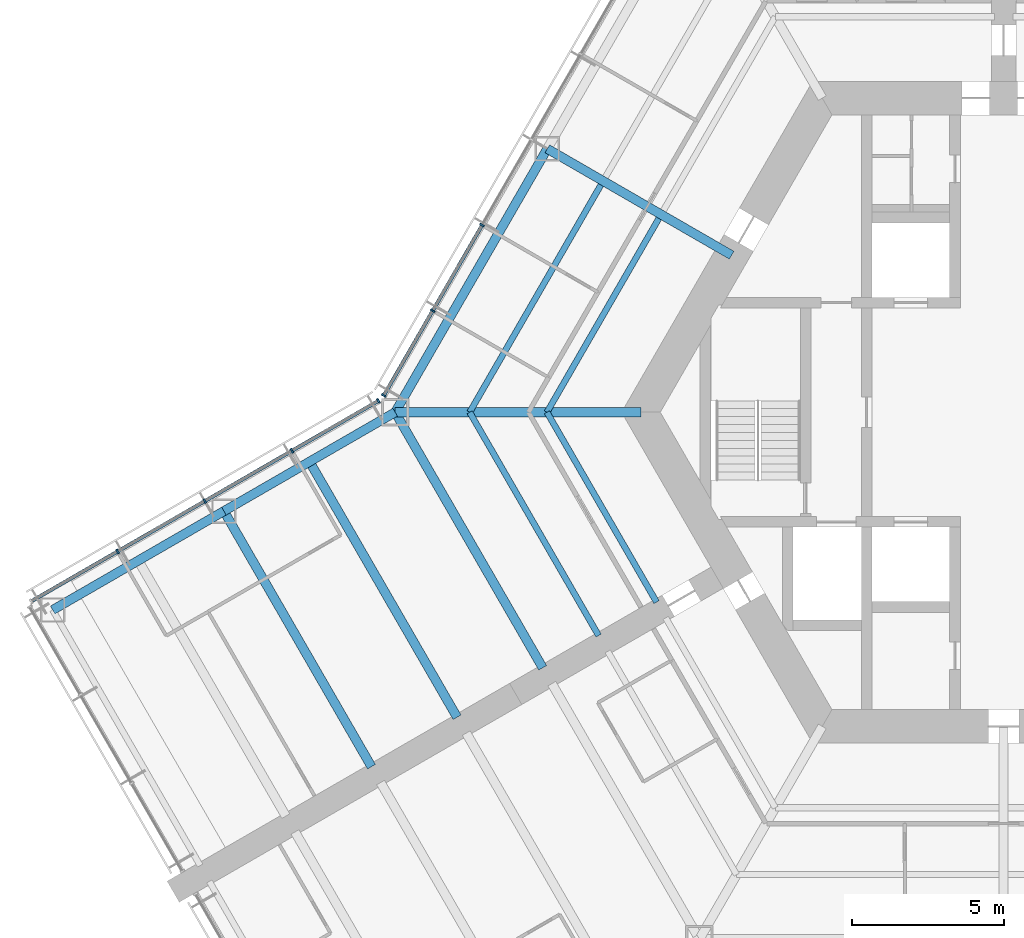
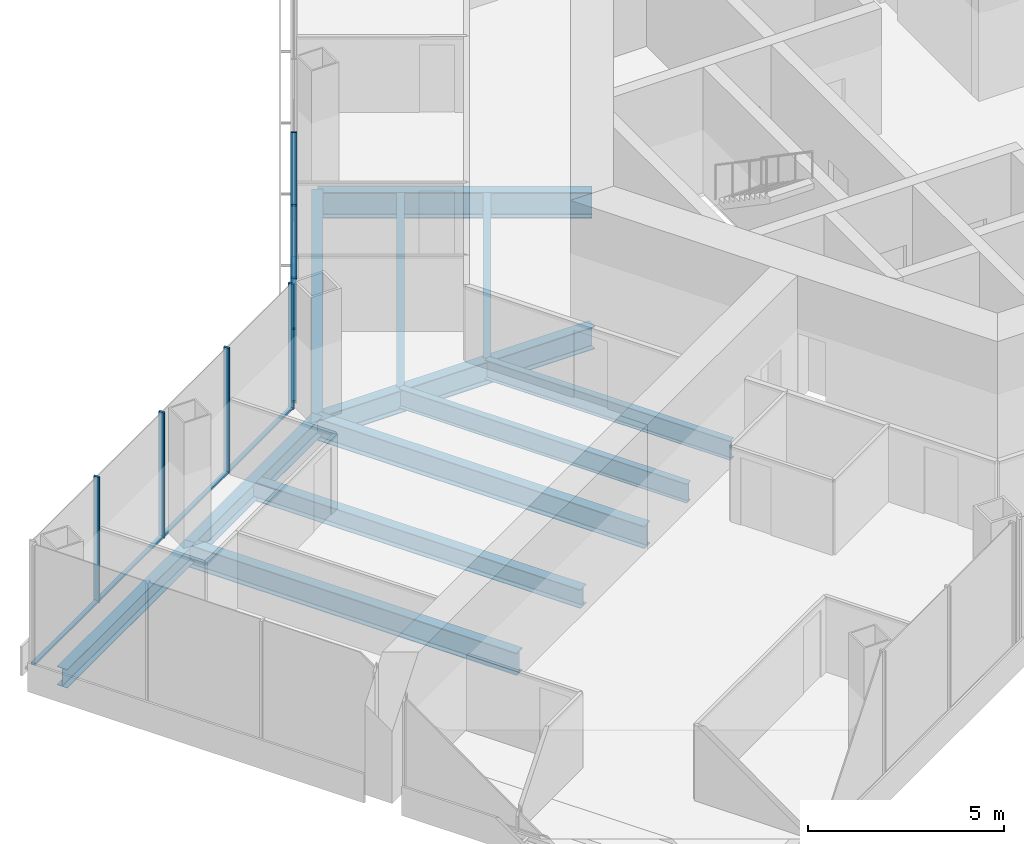
# One storey, part 4 of 18: 13 members, 12 beams, 2 elements without a shape of their own.
"""IFC4 building model written with IfcOpenShell, lengths in metres."""

import ifcopenshell
import ifcopenshell.guid

model = None  # the IFC model being written
_history = None  # IfcOwnerHistory: only IFC2X3 demands one
_inside = {}  # id of a spatial element -> (the spatial element, [elements in it])
_under = {}  # id of a project, library or spatial element -> (it, [spatial elements below it])
_declared = {}  # id of a project -> (the project, [libraries it declares])
_typed = {}  # id of a type object -> (the type object, [elements of that type])
_made_of = {}  # id of a material, layer set ... -> (it, [elements and type objects made of it])


def new_model(schema):
    """Start an empty IFC model of exactly this schema.

    Asked for "IFC4X3", IfcOpenShell would pick the latest addendum, in which some entities
    have other attributes; the version numbers below select the first issue.
    IFC2X3 requires an IfcOwnerHistory on every rooted entity: one is made here for all.
    """
    global model, _history
    if schema == "IFC4X3":
        model = ifcopenshell.file(schema_version=(4, 3, 0, 0))
    else:
        model = ifcopenshell.file(schema=schema)
    _inside.clear()
    _under.clear()
    _declared.clear()
    _typed.clear()
    _made_of.clear()
    _history = None
    if model.schema == "IFC2X3":
        org = make("IfcOrganization", Name="unknown")
        user = make(
            "IfcPersonAndOrganization",
            ThePerson=make("IfcPerson", FamilyName="unknown"),
            TheOrganization=org,
        )
        app = make(
            "IfcApplication",
            ApplicationDeveloper=org,
            Version="unknown",
            ApplicationFullName="unknown",
            ApplicationIdentifier="unknown",
        )
        _history = make(
            "IfcOwnerHistory",
            OwningUser=user,
            OwningApplication=app,
            ChangeAction="ADDED",
            CreationDate=0,
        )
    return model


def make(cls, **values):
    """One entity of the class cls with the attributes given. An attribute that is None is left unset."""
    return model.create_entity(
        cls, **{name: value for name, value in values.items() if value is not None}
    )


def rooted(cls, **values):
    """An entity with a GlobalId (a new one), such as an element, a storey or a relation."""
    return make(cls, GlobalId=ifcopenshell.guid.new(), OwnerHistory=_history, **values)


def si_unit(unit_type, name, prefix=None):
    """IfcSIUnit, for example si_unit("LENGTHUNIT", "METRE", prefix="MILLI")."""
    return make("IfcSIUnit", UnitType=unit_type, Prefix=prefix, Name=name)


def assignment(units):
    """IfcUnitAssignment: the units of a project."""
    return None if units is None else make("IfcUnitAssignment", Units=units)


def point(xyz):
    """IfcCartesianPoint."""
    return None if xyz is None else make("IfcCartesianPoint", Coordinates=xyz)


def direction(xyz):
    """IfcDirection."""
    return None if xyz is None else make("IfcDirection", DirectionRatios=xyz)


def frame(location, z_axis=None, x_axis=None):
    """IfcAxis2Placement3D, a coordinate frame: its origin and axes. An axis left out is left unset."""
    return make(
        "IfcAxis2Placement3D",
        Location=point(location),
        Axis=direction(z_axis),
        RefDirection=direction(x_axis),
    )


def frame_2d(location, x_axis=None):
    """IfcAxis2Placement2D, a coordinate frame in the plane: its origin and x axis."""
    return make(
        "IfcAxis2Placement2D", Location=point(location), RefDirection=direction(x_axis)
    )


def origin():
    """The frame at (0, 0, 0) with its axes left unset."""
    return frame((0.0, 0.0, 0.0))


def origin_2d():
    """The frame at (0, 0) in the plane with its x axis left unset."""
    return frame_2d((0.0, 0.0))


def place(relative_to, where):
    """IfcLocalPlacement: puts the frame where relative to a parent placement (None: the world)."""
    return make(
        "IfcLocalPlacement", PlacementRelTo=relative_to, RelativePlacement=where
    )


def context(
    kind, dimensions, precision=None, world=None, true_north=None, identifier=None
):
    """IfcGeometricRepresentationContext, for example the 3D "Model" context."""
    return make(
        "IfcGeometricRepresentationContext",
        ContextIdentifier=identifier,
        ContextType=kind,
        CoordinateSpaceDimension=dimensions,
        Precision=precision,
        WorldCoordinateSystem=world,
        TrueNorth=true_north,
    )


def subcontext(parent, identifier, kind, view, scale=None):
    """IfcGeometricRepresentationSubContext, for example "Body" below "Model"."""
    return make(
        "IfcGeometricRepresentationSubContext",
        ContextIdentifier=identifier,
        ContextType=kind,
        ParentContext=parent,
        TargetScale=scale,
        TargetView=view,
    )


def project(units=None, contexts=None):
    """IfcProject with its units and contexts."""
    return rooted(
        "IfcProject",
        Name="project",
        RepresentationContexts=contexts,
        UnitsInContext=assignment(units),
    )


def spatial(cls, under=None, at=None, **own):
    """A site, building, storey or space (cls), placed at a placement, below another one or the project."""
    s = rooted(cls, ObjectPlacement=at, **own)
    if under is not None:
        _under.setdefault(under.id(), (under, []))[1].append(s)
    return s


def profile(cls, at=None, kind="AREA", **sizes):
    """A parametric profile (cls). Its sizes go by their IFC names, for example OverallWidth=200.0."""
    return make(cls, ProfileType=kind, Position=at, **sizes)


def rectangle(**sizes):
    """IfcRectangleProfileDef."""
    return profile("IfcRectangleProfileDef", **sizes)


def i_section(**sizes):
    """IfcIShapeProfileDef."""
    return profile("IfcIShapeProfileDef", **sizes)


def extrude(swept, where, along, depth):
    """IfcExtrudedAreaSolid: the profile swept, set in the frame where, extruded along a direction by depth."""
    return make(
        "IfcExtrudedAreaSolid",
        SweptArea=swept,
        Position=where,
        ExtrudedDirection=direction(along),
        Depth=depth,
    )


def shape(context_of_items, identifier, shape_type, items):
    """IfcShapeRepresentation: the items that make up one representation, for example the "Body"."""
    return make(
        "IfcShapeRepresentation",
        ContextOfItems=context_of_items,
        RepresentationIdentifier=identifier,
        RepresentationType=shape_type,
        Items=items,
    )


def material(Name=None, Category=None):
    """IfcMaterial."""
    return make("IfcMaterial", Name=Name, Category=Category)


def material_profile(
    of_material, cross_section, Name=None, Category=None, Priority=None
):
    """IfcMaterialProfile: a cross section and its material."""
    return make(
        "IfcMaterialProfile",
        Name=Name,
        Material=of_material,
        Profile=cross_section,
        Priority=Priority,
        Category=Category,
    )


def profile_set(profiles, Name=None, composite=None):
    """IfcMaterialProfileSet."""
    return make(
        "IfcMaterialProfileSet",
        Name=Name,
        MaterialProfiles=profiles,
        CompositeProfile=composite,
    )


def made_of(thing, what):
    """Note that an element or type object is made of a material, layer set ...; save() writes the relation."""
    if what is not None:
        _made_of.setdefault(what.id(), (what, []))[1].append(thing)
    return thing


def type_object(cls, material=None, **own):
    """A type object (cls), such as IfcWallType, which elements share."""
    return made_of(rooted(cls, **own), material)


def element(
    cls,
    number,
    at=None,
    inside=None,
    cuts=None,
    type_object=None,
    material=None,
    context=None,
    identifier="Body",
    shape_type=None,
    held_by="IfcProductDefinitionShape",
    body=None,
    shapes=None,
    **own,
):
    """One element of the class cls, such as IfcWall. Its Tag is "e" and its number.

    at: its placement. inside: the storey or other place that contains it. cuts: it is an
    opening in that element (IfcRelVoidsElement). A single representation is given by context,
    identifier, shape_type and body (its items); several are given by shapes. held_by: the class
    of the entity that holds the representations. save() writes the other relations.
    """
    e = rooted(cls, Tag="e%d" % number, ObjectPlacement=at, **own)
    if body is not None:
        shapes = [shape(context, identifier, shape_type, body)]
    if shapes is not None:
        e.Representation = make(held_by, Representations=shapes)
    if inside is not None:
        _inside.setdefault(inside.id(), (inside, []))[1].append(e)
    if cuts is not None:
        rooted(
            "IfcRelVoidsElement", RelatingBuildingElement=cuts, RelatedOpeningElement=e
        )
    if type_object is not None:
        _typed.setdefault(type_object.id(), (type_object, []))[1].append(e)
    return made_of(e, material)


def aggregate(whole, parts):
    """IfcRelAggregates: a whole, such as a stair, and the parts it consists of."""
    return rooted("IfcRelAggregates", RelatingObject=whole, RelatedObjects=parts)


def save(model, path):
    """Write the relations noted so far, then the file.

    IfcRelAggregates (storeys below a building ...), IfcRelContainedInSpatialStructure (elements
    in a storey), IfcRelDefinesByType, IfcRelAssociatesMaterial and IfcRelDeclares: one each for
    every whole, place, type object, material and project.
    """
    for whole, parts in _under.values():
        aggregate(whole, parts)
    for where, things in _inside.values():
        rooted(
            "IfcRelContainedInSpatialStructure",
            RelatedElements=things,
            RelatingStructure=where,
        )
    for kind, things in _typed.values():
        rooted("IfcRelDefinesByType", RelatedObjects=things, RelatingType=kind)
    for what, things in _made_of.values():
        rooted("IfcRelAssociatesMaterial", RelatedObjects=things, RelatingMaterial=what)
    for by, libraries in _declared.values():
        rooted("IfcRelDeclares", RelatingContext=by, RelatedDefinitions=libraries)
    model.write(path)


model = new_model("IFC4")

# Units and contexts
model_context = context("Model", 3, precision=1e-05, world=origin(), true_north=direction((0.0, 1.0)))
body_context = subcontext(model_context, "Body", "Model", "MODEL_VIEW")
ifc_project = project(units=[si_unit("LENGTHUNIT", "METRE"), si_unit("AREAUNIT", "SQUARE_METRE"), si_unit("VOLUMEUNIT", "CUBIC_METRE"), si_unit("PLANEANGLEUNIT", "RADIAN"), si_unit("MASSUNIT", "GRAM", prefix="KILO")], contexts=[model_context])

# Site, building, storey
site_placement = place(None, origin())
site = spatial("IfcSite", under=ifc_project, at=site_placement, CompositionType="ELEMENT")
building_placement = place(site_placement, origin())
building = spatial("IfcBuilding", under=site, at=building_placement, Name="Kasaneha Research Tower", CompositionType="ELEMENT")
storey_placement = place(building_placement, frame((0.0, 0.0, 119.699951171875)))
storey = spatial("IfcBuildingStorey", under=building, at=storey_placement, Name="L30", CompositionType="ELEMENT", Elevation=119.699951171875)

# Beams
ifc_material_1 = material(Name="Steel SN490B", Category="steel")
ifc_material_profile_1 = material_profile(ifc_material_1, i_section(OverallWidth=0.199951171875, OverallDepth=0.60009765625, WebThickness=0.010986328125, FlangeThickness=0.01708984375, FilletRadius=0.012939453125, at=origin_2d()), Name="H-600x200x11x17")
ifc_profile_set_1 = profile_set([ifc_material_profile_1], Name="Steel SN490B")
beam_type_1 = type_object("IfcBeamType", Name="B1-3 secondary beam H-600x200x11x17", PredefinedType="JOIST", material=ifc_profile_set_1)
beam_1_placement = place(storey_placement, frame((-15.010986328125, 0.0, -0.449951171875), z_axis=(0.499994443168, 0.866028611999, 0.0), x_axis=(-0.866028611999, 0.499994443168, 0.0)))
element("IfcBeam", 1, at=beam_1_placement, inside=storey, type_object=beam_type_1, Name="Secondary beam RS150R1 L30", PredefinedType="JOIST", context=body_context, shape_type="SweptSolid", body=[
    extrude(i_section(OverallWidth=0.199951171875, OverallDepth=0.60009765625, WebThickness=0.010986328125, FlangeThickness=0.01708984375, FilletRadius=0.012939453125, at=origin_2d()), origin(), (0.0, 0.0, 1.0), 7.35546875),
])
beam_2_placement = place(storey_placement, frame((-17.551513671875, 0.0, -0.449951171875), z_axis=(0.5000050195, 0.866022505755, 0.0), x_axis=(-0.866022505755, 0.5000050195, 0.0)))
element("IfcBeam", 2, at=beam_2_placement, inside=storey, type_object=beam_type_1, Name="Secondary beam RS150R2 L30", PredefinedType="JOIST", context=body_context, shape_type="SweptSolid", body=[
    extrude(i_section(OverallWidth=0.199951171875, OverallDepth=0.60009765625, WebThickness=0.010986328125, FlangeThickness=0.01708984375, FilletRadius=0.012939453125, at=origin_2d()), origin(), (0.0, 0.0, 1.0), 8.6259765625),
])
beam_3_placement = place(storey_placement, frame((-15.010986328125, 0.0, -0.449951171875), z_axis=(0.499972735707, -0.866041144259, 0.0), x_axis=(0.866041144259, 0.499972735707, 0.0)))
element("IfcBeam", 3, at=beam_3_placement, inside=storey, type_object=beam_type_1, Name="Secondary beam RS210L1 L30", PredefinedType="JOIST", context=body_context, shape_type="SweptSolid", body=[
    extrude(i_section(OverallWidth=0.199951171875, OverallDepth=0.60009765625, WebThickness=0.010986328125, FlangeThickness=0.01708984375, FilletRadius=0.012939453125, at=origin_2d()), origin(), (0.0, 0.0, 1.0), 7.20556640625),
])
beam_4_placement = place(storey_placement, frame((-17.551513671875, 0.0, -0.449951171875), z_axis=(0.500020829043, -0.866013377797, 0.0), x_axis=(0.866013377797, 0.500020829043, 0.0)))
element("IfcBeam", 4, at=beam_4_placement, inside=storey, type_object=beam_type_1, Name="Secondary beam RS210L2 L30", PredefinedType="JOIST", context=body_context, shape_type="SweptSolid", body=[
    extrude(i_section(OverallWidth=0.199951171875, OverallDepth=0.60009765625, WebThickness=0.010986328125, FlangeThickness=0.01708984375, FilletRadius=0.012939453125, at=origin_2d()), origin(), (0.0, 0.0, 1.0), 8.475830078125),
])
ifc_material_2 = material(Name="Steel SN490B", Category="steel")
ifc_material_profile_2 = material_profile(ifc_material_2, i_section(OverallWidth=0.300048828125, OverallDepth=0.58203125, WebThickness=0.011962890625, FlangeThickness=0.01708984375, FilletRadius=0.012939453125, at=origin_2d()), Name="H-582x300x12x17")
ifc_profile_set_2 = profile_set([ifc_material_profile_2], Name="Steel SN490B")
beam_type_2 = type_object("IfcBeamType", Name="B2-3 secondary beam H-582x300x12x17", PredefinedType="JOIST", material=ifc_profile_set_2)
beam_5_placement = place(storey_placement, frame((-22.814697265625, -1.625, -0.44091796875), z_axis=(0.500010041276, -0.866019606374, 0.0), x_axis=(0.866019606374, 0.500010041276, 0.0)))
element("IfcBeam", 5, at=beam_5_placement, inside=storey, type_object=beam_type_2, Name="Secondary beam WBBP1 L30", PredefinedType="JOIST", context=body_context, shape_type="SweptSolid", body=[
    extrude(i_section(OverallWidth=0.300048828125, OverallDepth=0.58203125, WebThickness=0.011962890625, FlangeThickness=0.01708984375, FilletRadius=0.012939453125, at=origin_2d()), origin(), (0.0, 0.0, 1.0), 9.699951171875),
])

# Curtain wall, members
ifc_material_3 = material(Name="Glass and aluminium", Category="aluminium")
curtain_wall_type = type_object("IfcCurtainWallType", Name="Low-rise office curtain wall", PredefinedType="USERDEFINED", material=ifc_material_3)
curtain_wall_1_placement = place(storey_placement, origin())
curtain_wall_1 = element("IfcCurtainWall", 6, at=curtain_wall_1_placement, inside=storey, type_object=curtain_wall_type, Name="CW-O1 L30 run 12a", ObjectType="UNITISED CURTAIN WALL", PredefinedType="USERDEFINED")
ifc_material_4 = material(Name="Aluminium 6063-T6", Category="aluminium")
ifc_material_profile_3 = material_profile(ifc_material_4, rectangle(XDim=0.06005859375, YDim=0.159912109375, at=origin_2d()), Name="CW-O1 mullion 60x160")
ifc_profile_set_3 = profile_set([ifc_material_profile_3], Name="Aluminium 6063-T6")
member_type_1 = type_object("IfcMemberType", Name="CW-O1 mullion", PredefinedType="MULLION", material=ifc_profile_set_3)
member_1_placement = place(storey_placement, frame((-17.142822265625, 6.148681640625, 0.0), z_axis=(0.0, 0.0, 1.0), x_axis=(-0.49999996188, -0.866025425793, 0.0)))
member_1 = element("IfcMember", 7, at=member_1_placement, type_object=member_type_1, Name="CW-O1 mullion 5", PredefinedType="MULLION", context=body_context, shape_type="SweptSolid", body=[
    extrude(rectangle(XDim=0.06005859375, YDim=0.159912109375, at=origin_2d()), origin(), (0.0, 0.0, 1.0), 3.900146484375),
])
member_2_placement = place(storey_placement, frame((-18.76611328125, 3.33740234375, 0.0), z_axis=(0.0, 0.0, 1.0), x_axis=(-0.49999996188, -0.866025425793, 0.0)))
member_2 = element("IfcMember", 8, at=member_2_placement, type_object=member_type_1, Name="CW-O1 mullion 6", PredefinedType="MULLION", context=body_context, shape_type="SweptSolid", body=[
    extrude(rectangle(XDim=0.06005859375, YDim=0.159912109375, at=origin_2d()), origin(), (0.0, 0.0, 1.0), 3.900146484375),
])
member_3_placement = place(storey_placement, frame((-20.374267578125, 0.5517578125, 0.0), z_axis=(0.0, 0.0, 1.0), x_axis=(-0.49999996188, -0.866025425793, 0.0)))
member_3 = element("IfcMember", 9, at=member_3_placement, type_object=member_type_1, Name="CW-O1 mullion 7", PredefinedType="MULLION", context=body_context, shape_type="SweptSolid", body=[
    extrude(rectangle(XDim=0.06005859375, YDim=0.159912109375, at=origin_2d()), origin(), (0.0, 0.0, 1.0), 3.900146484375),
])

curtain_wall_2_placement = place(storey_placement, origin())
curtain_wall_2 = element("IfcCurtainWall", 10, at=curtain_wall_2_placement, inside=storey, type_object=curtain_wall_type, Name="CW-O1 L30 run 13a", ObjectType="UNITISED CURTAIN WALL", PredefinedType="USERDEFINED")
member_4_placement = place(storey_placement, frame((-20.5517578125, 0.374267578125, 0.0), z_axis=(0.0, 0.0, 1.0), x_axis=(-0.866025411464, -0.499999986699, 0.0)))
member_4 = element("IfcMember", 11, at=member_4_placement, type_object=member_type_1, Name="CW-O1 mullion 1", PredefinedType="MULLION", context=body_context, shape_type="SweptSolid", body=[
    extrude(rectangle(XDim=0.06005859375, YDim=0.159912109375, at=origin_2d()), origin(), (0.0, 0.0, 1.0), 3.900146484375),
])
member_5_placement = place(storey_placement, frame((-23.39208984375, -1.265625, 0.0), z_axis=(0.0, 0.0, 1.0), x_axis=(-0.866025411464, -0.499999986699, 0.0)))
member_5 = element("IfcMember", 12, at=member_5_placement, type_object=member_type_1, Name="CW-O1 mullion 2", PredefinedType="MULLION", context=body_context, shape_type="SweptSolid", body=[
    extrude(rectangle(XDim=0.06005859375, YDim=0.159912109375, at=origin_2d()), origin(), (0.0, 0.0, 1.0), 3.900146484375),
])
member_6_placement = place(storey_placement, frame((-26.258544921875, -2.920654296875, 0.0), z_axis=(0.0, 0.0, 1.0), x_axis=(-0.866025411464, -0.499999986699, 0.0)))
member_6 = element("IfcMember", 13, at=member_6_placement, type_object=member_type_1, Name="CW-O1 mullion 3", PredefinedType="MULLION", context=body_context, shape_type="SweptSolid", body=[
    extrude(rectangle(XDim=0.06005859375, YDim=0.159912109375, at=origin_2d()), origin(), (0.0, 0.0, 1.0), 3.900146484375),
])
member_7_placement = place(storey_placement, frame((-29.125, -4.575439453125, 0.0), z_axis=(0.0, 0.0, 1.0), x_axis=(-0.866025411464, -0.499999986699, 0.0)))
member_7 = element("IfcMember", 14, at=member_7_placement, type_object=member_type_1, Name="CW-O1 mullion 4", PredefinedType="MULLION", context=body_context, shape_type="SweptSolid", body=[
    extrude(rectangle(XDim=0.06005859375, YDim=0.159912109375, at=origin_2d()), origin(), (0.0, 0.0, 1.0), 3.900146484375),
])

# Member
ifc_material_5 = material(Name="Aluminium 6063-T6", Category="aluminium")
ifc_material_profile_4 = material_profile(ifc_material_5, rectangle(XDim=0.1201171875, YDim=0.06005859375, at=origin_2d()), Name="CW-O1 transom 120x60")
ifc_profile_set_4 = profile_set([ifc_material_profile_4], Name="Aluminium 6063-T6")
member_type_2 = type_object("IfcMemberType", Name="CW-O1 transom", PredefinedType="USERDEFINED", material=ifc_profile_set_4)
member_8_placement = place(storey_placement, frame((-17.15771484375, 6.122802734375, 0.030029296875), z_axis=(-0.500012062035, -0.866018439653, 0.0), x_axis=(0.866018439653, -0.500012062035, 0.0)))
member_8 = element("IfcMember", 15, at=member_8_placement, type_object=member_type_2, Name="CW-O1 transom 5", ObjectType="TRANSOM", PredefinedType="USERDEFINED", context=body_context, shape_type="SweptSolid", body=[
    extrude(rectangle(XDim=0.1201171875, YDim=0.06005859375, at=origin_2d()), origin(), (0.0, 0.0, 1.0), 3.1865234375),
])

member_9_placement = place(storey_placement, frame((-18.781005859375, 3.311279296875, 0.030029296875), z_axis=(-0.499999210213, -0.866025859768, 0.0), x_axis=(0.866025859768, -0.499999210213, 0.0)))
member_9 = element("IfcMember", 16, at=member_9_placement, type_object=member_type_2, Name="CW-O1 transom 6", ObjectType="TRANSOM", PredefinedType="USERDEFINED", context=body_context, shape_type="SweptSolid", body=[
    extrude(rectangle(XDim=0.1201171875, YDim=0.06005859375, at=origin_2d()), origin(), (0.0, 0.0, 1.0), 3.15625),
])

aggregate(curtain_wall_1, [member_1, member_2, member_3, member_8, member_9])

member_10_placement = place(storey_placement, frame((-20.577880859375, 0.359130859375, 0.030029296875), z_axis=(-0.866022692473, -0.500004696101, 0.0), x_axis=(0.500004696101, -0.866022692473, 0.0)))
member_10 = element("IfcMember", 17, at=member_10_placement, type_object=member_type_2, Name="CW-O1 transom 1", ObjectType="TRANSOM", PredefinedType="USERDEFINED", context=body_context, shape_type="SweptSolid", body=[
    extrude(rectangle(XDim=0.1201171875, YDim=0.06005859375, at=origin_2d()), origin(), (0.0, 0.0, 1.0), 3.2197265625),
])

member_11_placement = place(storey_placement, frame((-23.418212890625, -1.28076171875, 0.030029296875), z_axis=(-0.86604797581, -0.499960902066, 0.0), x_axis=(0.499960902066, -0.86604797581, 0.0)))
member_11 = element("IfcMember", 18, at=member_11_placement, type_object=member_type_2, Name="CW-O1 transom 2", ObjectType="TRANSOM", PredefinedType="USERDEFINED", context=body_context, shape_type="SweptSolid", body=[
    extrude(rectangle(XDim=0.1201171875, YDim=0.06005859375, at=origin_2d()), origin(), (0.0, 0.0, 1.0), 3.249755859375),
])

member_12_placement = place(storey_placement, frame((-26.28466796875, -2.935546875, 0.030029296875), z_axis=(-0.86599666273, -0.500049777664, 0.0), x_axis=(0.500049777664, -0.86599666273, 0.0)))
member_12 = element("IfcMember", 19, at=member_12_placement, type_object=member_type_2, Name="CW-O1 transom 3", ObjectType="TRANSOM", PredefinedType="USERDEFINED", context=body_context, shape_type="SweptSolid", body=[
    extrude(rectangle(XDim=0.1201171875, YDim=0.06005859375, at=origin_2d()), origin(), (0.0, 0.0, 1.0), 3.249755859375),
])

member_13_placement = place(storey_placement, frame((-29.15087890625, -4.590576171875, 0.030029296875), z_axis=(-0.866041647767, -0.499971863542, 0.0), x_axis=(0.499971863542, -0.866041647767, 0.0)))
member_13 = element("IfcMember", 20, at=member_13_placement, type_object=member_type_2, Name="CW-O1 transom 4", ObjectType="TRANSOM", PredefinedType="USERDEFINED", context=body_context, shape_type="SweptSolid", body=[
    extrude(rectangle(XDim=0.1201171875, YDim=0.06005859375, at=origin_2d()), origin(), (0.0, 0.0, 1.0), 3.219970703125),
])

aggregate(curtain_wall_2, [member_4, member_5, member_6, member_7, member_10, member_11, member_12, member_13])

# Beams
ifc_material_6 = material(Name="Steel SN490B", Category="steel")
ifc_material_profile_5 = material_profile(ifc_material_6, i_section(OverallWidth=0.300048828125, OverallDepth=0.699951171875, WebThickness=0.012939453125, FlangeThickness=0.02392578125, FilletRadius=0.01806640625, at=origin_2d()), Name="H-700x300x13x24")
ifc_profile_set_5 = profile_set([ifc_material_profile_5], Name="Steel SN490B")
beam_type_3 = type_object("IfcBeamType", Name="G1-3 radial girder H-700x300x13x24", PredefinedType="BEAM", material=ifc_profile_set_5)
beam_6_placement = place(storey_placement, frame((-11.92236328125, 0.0, -0.5), z_axis=(-1.0, 0.0, 0.0), x_axis=(0.0, -1.0, 0.0)))
element("IfcBeam", 21, at=beam_6_placement, inside=storey, type_object=beam_type_3, Name="Radial girder RV180 L30", PredefinedType="BEAM", context=body_context, shape_type="SweptSolid", body=[
    extrude(i_section(OverallWidth=0.300048828125, OverallDepth=0.699951171875, WebThickness=0.012939453125, FlangeThickness=0.02392578125, FilletRadius=0.01806640625, at=origin_2d()), origin(), (0.0, 0.0, 1.0), 8.07763671875),
])
ifc_material_7 = material(Name="Steel SN490B", Category="steel")
ifc_material_profile_6 = material_profile(ifc_material_7, i_section(OverallWidth=0.300048828125, OverallDepth=0.800048828125, WebThickness=0.013916015625, FlangeThickness=0.02587890625, FilletRadius=0.01806640625, at=origin_2d()), Name="H-800x300x14x26")
ifc_profile_set_6 = profile_set([ifc_material_profile_6], Name="Steel SN490B")
beam_type_4 = type_object("IfcBeamType", Name="G2-3 radial girder H-800x300x14x26", PredefinedType="BEAM", material=ifc_profile_set_6)
beam_7_placement = place(storey_placement, frame((-8.941650390625, 5.16259765625, -0.550048828125), z_axis=(-0.866039713508, 0.499975214012, 0.0), x_axis=(-0.499975214012, -0.866039713508, 0.0)))
element("IfcBeam", 22, at=beam_7_placement, inside=storey, type_object=beam_type_4, Name="Radial girder RM150 L30", PredefinedType="BEAM", context=body_context, shape_type="SweptSolid", body=[
    extrude(i_section(OverallWidth=0.300048828125, OverallDepth=0.800048828125, WebThickness=0.013916015625, FlangeThickness=0.02587890625, FilletRadius=0.01806640625, at=origin_2d()), origin(), (0.0, 0.0, 1.0), 6.995361328125),
])
ifc_material_8 = material(Name="Steel SN490B", Category="steel")
ifc_material_profile_7 = material_profile(ifc_material_8, i_section(OverallWidth=0.300048828125, OverallDepth=0.69189453125, WebThickness=0.012939453125, FlangeThickness=0.02001953125, FilletRadius=0.01806640625, at=origin_2d()), Name="H-692x300x13x20")
ifc_profile_set_7 = profile_set([ifc_material_profile_7], Name="Steel SN490B")
beam_type_5 = type_object("IfcBeamType", Name="G3-3 plate edge girder H-692x300x13x20", PredefinedType="BEAM", material=ifc_profile_set_7)
beam_8_placement = place(storey_placement, frame((-20.0, 0.0, -0.495849609375), z_axis=(0.500010041276, -0.866019606374, 0.0), x_axis=(0.866019606374, 0.500010041276, 0.0)))
element("IfcBeam", 23, at=beam_8_placement, inside=storey, type_object=beam_type_5, Name="Plate edge girder PEBP L30", PredefinedType="BEAM", context=body_context, shape_type="SweptSolid", body=[
    extrude(i_section(OverallWidth=0.300048828125, OverallDepth=0.69189453125, WebThickness=0.012939453125, FlangeThickness=0.02001953125, FilletRadius=0.01806640625, at=origin_2d()), origin(), (0.0, 0.0, 1.0), 9.699951171875),
])
ifc_material_9 = material(Name="Steel SN490B", Category="steel")
ifc_material_profile_8 = material_profile(ifc_material_9, i_section(OverallWidth=0.300048828125, OverallDepth=0.699951171875, WebThickness=0.012939453125, FlangeThickness=0.02392578125, FilletRadius=0.01806640625, at=origin_2d()), Name="H-700x300x13x24")
ifc_profile_set_8 = profile_set([ifc_material_profile_8], Name="Steel SN490B")
beam_type_6 = type_object("IfcBeamType", Name="G4-3 wing girder H-700x300x13x24", PredefinedType="BEAM", material=ifc_profile_set_8)
beam_9_placement = place(storey_placement, frame((-25.629150390625, -3.25, -0.5), z_axis=(0.500010041276, -0.866019606374, 0.0), x_axis=(0.866019606374, 0.500010041276, 0.0)))
element("IfcBeam", 24, at=beam_9_placement, inside=storey, type_object=beam_type_6, Name="Wing girder WGBP L30", PredefinedType="BEAM", context=body_context, shape_type="SweptSolid", body=[
    extrude(i_section(OverallWidth=0.300048828125, OverallDepth=0.699951171875, WebThickness=0.012939453125, FlangeThickness=0.02392578125, FilletRadius=0.01806640625, at=origin_2d()), origin(), (0.0, 0.0, 1.0), 9.699951171875),
])
ifc_material_10 = material(Name="Steel SN490B", Category="steel")
ifc_material_profile_9 = material_profile(ifc_material_10, i_section(OverallWidth=0.300048828125, OverallDepth=0.69189453125, WebThickness=0.012939453125, FlangeThickness=0.02001953125, FilletRadius=0.01806640625, at=origin_2d()), Name="H-692x300x13x20")
ifc_profile_set_9 = profile_set([ifc_material_profile_9], Name="Steel SN490B")
beam_type_7 = type_object("IfcBeamType", Name="SB1-3 spandrel beam H-692x300x13x20", PredefinedType="SPANDREL", material=ifc_profile_set_9)
beam_10_placement = place(storey_placement, frame((-20.0, 0.0, -0.495849609375), z_axis=(0.500004234368, 0.866022959057, 0.0), x_axis=(-0.866022959057, 0.500004234368, 0.0)))
element("IfcBeam", 25, at=beam_10_placement, inside=storey, type_object=beam_type_7, Name="Spandrel beam SR150R L30", PredefinedType="SPANDREL", context=body_context, shape_type="SweptSolid", body=[
    extrude(i_section(OverallWidth=0.300048828125, OverallDepth=0.69189453125, WebThickness=0.012939453125, FlangeThickness=0.02001953125, FilletRadius=0.01806640625, at=origin_2d()), origin(), (0.0, 0.0, 1.0), 10.0),
])
ifc_material_11 = material(Name="Steel SN490B", Category="steel")
ifc_material_profile_10 = material_profile(ifc_material_11, i_section(OverallWidth=0.300048828125, OverallDepth=0.58203125, WebThickness=0.011962890625, FlangeThickness=0.01708984375, FilletRadius=0.012939453125, at=origin_2d()), Name="H-582x300x12x17")
ifc_profile_set_10 = profile_set([ifc_material_profile_10], Name="Steel SN490B")
beam_type_8 = type_object("IfcBeamType", Name="SB2-3 spandrel beam H-582x300x12x17", PredefinedType="SPANDREL", material=ifc_profile_set_10)
for number, where, z_axis, x_axis, name in (
    (26, (-20.0, 0.0, -0.44091796875), (-0.866024837091, -0.50000098154, 0.0), (0.50000098154, -0.866024837091, 0.0), "Spandrel beam WSBP1 L30"),
    (27, (-25.629150390625, -3.25, -0.44091796875), (-0.866024837091, -0.50000098154, 0.0), (0.50000098154, -0.866024837091, 0.0), "Spandrel beam WSBP2 L30"),
):
    element("IfcBeam", number, at=place(storey_placement, frame(where, z_axis=z_axis, x_axis=x_axis)), inside=storey, type_object=beam_type_8, Name=name, PredefinedType="SPANDREL", context=body_context, shape_type="SweptSolid", body=[
        extrude(i_section(OverallWidth=0.300048828125, OverallDepth=0.58203125, WebThickness=0.011962890625, FlangeThickness=0.01708984375, FilletRadius=0.012939453125, at=origin_2d()), origin(), (0.0, 0.0, 1.0), 6.5),
    ])

save(model, "model.ifc")
